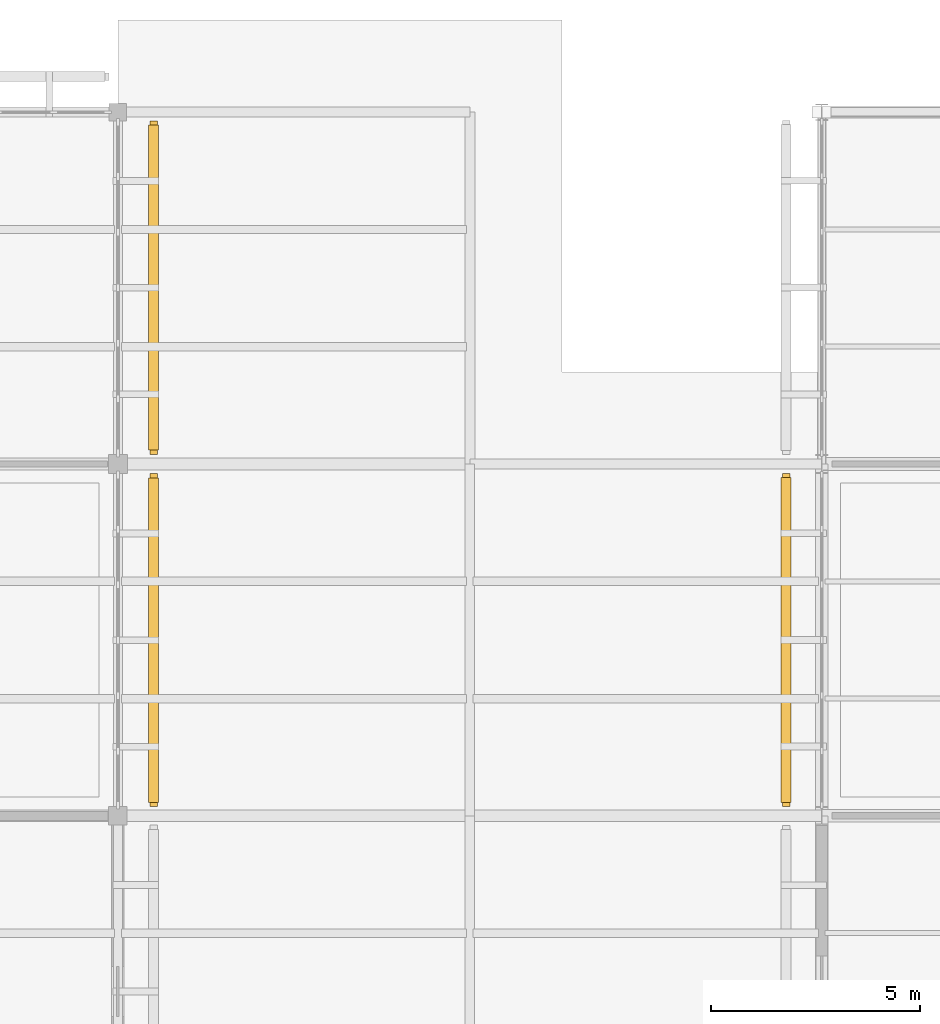
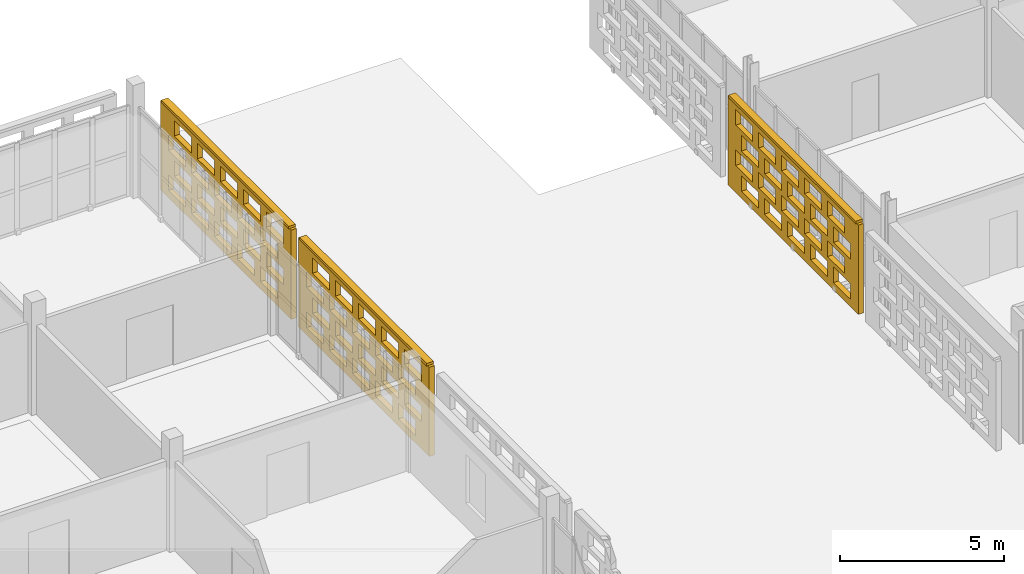
# One storey, part 138 of 166: 3 coverings, 3 shading devices, 60 openings.
"""IFC4 building model written with IfcOpenShell, lengths in metres."""

from ifc_helpers import new_model, si_unit, direction, frame, frame_2d, origin, origin_2d, place, context, subcontext, project, spatial, rectangle, extrude, material, layer, layer_set, type_object, element, save


model = new_model("IFC4")

# Units and contexts
model_context = context("Model", 3, precision=1e-05, world=origin(), true_north=direction((0.0, 1.0)))
body_context = subcontext(model_context, "Body", "Model", "MODEL_VIEW")
ifc_project = project(units=[si_unit("LENGTHUNIT", "METRE"), si_unit("AREAUNIT", "SQUARE_METRE"), si_unit("VOLUMEUNIT", "CUBIC_METRE"), si_unit("PLANEANGLEUNIT", "RADIAN"), si_unit("MASSUNIT", "GRAM", prefix="KILO")], contexts=[model_context])

# Site, building, storey
site_placement = place(None, origin())
site = spatial("IfcSite", under=ifc_project, at=site_placement, CompositionType="ELEMENT")
building_placement = place(site_placement, origin())
building = spatial("IfcBuilding", under=site, at=building_placement, Name="Varnapada Polytechnic", CompositionType="ELEMENT")
storey_placement = place(building_placement, frame((0.0, 0.0, 9.60009765625)))
storey = spatial("IfcBuildingStorey", under=building, at=storey_placement, Name="L02", CompositionType="ELEMENT", Elevation=9.60009765625)

# Covering, openings
ifc_material = material(Name="Earth-toned architectural terracotta screen block", Category="masonry")
ifc_layer_1 = layer(ifc_material, 0.1201171875)
ifc_layer_set_1 = layer_set([ifc_layer_1], Name="Earth-toned architectural terracotta screen block")
covering_type = type_object("IfcCoveringType", Name="Terracotta Screen Cladding CLD-01", PredefinedType="CLADDING", material=ifc_layer_set_1)
covering_1_placement = place(storey_placement, frame((34.449951171875, 117.3701171875, 0.0), z_axis=(0.0, 0.0, 1.0), x_axis=(0.0, -1.0, 0.0)))
covering_1 = element("IfcCovering", 1, at=covering_1_placement, inside=storey, type_object=covering_type, Name="L02 perforated terracotta block screen (31)", PredefinedType="CLADDING", context=body_context, shape_type="SweptSolid", body=[
    extrude(rectangle(XDim=7.9501953125, YDim=0.179931640625, at=frame_2d((3.97509765625, 0.0))), origin(), (0.0, 0.0, 1.0), 3.31982421875),
])
opening_1_placement = place(covering_1_placement, frame((0.47509765625, 0.0, 0.265625)))
element("IfcOpeningElement", 2, at=opening_1_placement, cuts=covering_1, Name="Screen perforation TBS-L02-030.1", PredefinedType="OPENING", context=body_context, shape_type="SweptSolid", body=[
    extrude(rectangle(XDim=1.0400390625, YDim=0.5810546875, at=frame_2d((0.52001953125, 0.29052734375))), frame((0.0, 0.099853515625, 0.0), z_axis=(0.0, -1.0, 0.0), x_axis=(1.0, 0.0, 0.0)), (0.0, 0.0, 1.0), 0.199951171875),
])
opening_2_placement = place(covering_1_placement, frame((1.875, 0.0, 0.265625)))
element("IfcOpeningElement", 3, at=opening_2_placement, cuts=covering_1, Name="Screen perforation TBS-L02-030.2", PredefinedType="OPENING", context=body_context, shape_type="SweptSolid", body=[
    extrude(rectangle(XDim=1.0400390625, YDim=0.5810546875, at=frame_2d((0.52001953125, 0.29052734375))), frame((0.0, 0.099853515625, 0.0), z_axis=(0.0, -1.0, 0.0), x_axis=(1.0, 0.0, 0.0)), (0.0, 0.0, 1.0), 0.199951171875),
])
opening_3_placement = place(covering_1_placement, frame((3.27490234375, 0.0, 0.265625)))
element("IfcOpeningElement", 4, at=opening_3_placement, cuts=covering_1, Name="Screen perforation TBS-L02-030.3", PredefinedType="OPENING", context=body_context, shape_type="SweptSolid", body=[
    extrude(rectangle(XDim=1.0400390625, YDim=0.5810546875, at=frame_2d((0.52001953125, 0.29052734375))), frame((0.0, 0.099853515625, 0.0), z_axis=(0.0, -1.0, 0.0), x_axis=(1.0, 0.0, 0.0)), (0.0, 0.0, 1.0), 0.199951171875),
])
opening_4_placement = place(covering_1_placement, frame((4.675048828125, 0.0, 0.265625)))
element("IfcOpeningElement", 5, at=opening_4_placement, cuts=covering_1, Name="Screen perforation TBS-L02-030.4", PredefinedType="OPENING", context=body_context, shape_type="SweptSolid", body=[
    extrude(rectangle(XDim=1.0400390625, YDim=0.5810546875, at=frame_2d((0.52001953125, 0.29052734375))), frame((0.0, 0.099853515625, 0.0), z_axis=(0.0, -1.0, 0.0), x_axis=(1.0, 0.0, 0.0)), (0.0, 0.0, 1.0), 0.199951171875),
])
opening_5_placement = place(covering_1_placement, frame((6.074951171875, 0.0, 0.265625)))
element("IfcOpeningElement", 6, at=opening_5_placement, cuts=covering_1, Name="Screen perforation TBS-L02-030.5", PredefinedType="OPENING", context=body_context, shape_type="SweptSolid", body=[
    extrude(rectangle(XDim=1.0400390625, YDim=0.5810546875, at=frame_2d((0.52001953125, 0.29052734375))), frame((0.0, 0.099853515625, 0.0), z_axis=(0.0, -1.0, 0.0), x_axis=(1.0, 0.0, 0.0)), (0.0, 0.0, 1.0), 0.199951171875),
])
opening_6_placement = place(covering_1_placement, frame((0.8349609375, 0.0, 1.0126953125)))
element("IfcOpeningElement", 7, at=opening_6_placement, cuts=covering_1, Name="Screen perforation TBS-L02-030.6", PredefinedType="OPENING", context=body_context, shape_type="SweptSolid", body=[
    extrude(rectangle(XDim=1.0400390625, YDim=0.5810546875, at=frame_2d((0.52001953125, 0.29052734375))), frame((0.0, 0.099853515625, 0.0), z_axis=(0.0, -1.0, 0.0), x_axis=(1.0, 0.0, 0.0)), (0.0, 0.0, 1.0), 0.199951171875),
])
opening_7_placement = place(covering_1_placement, frame((2.235107421875, 0.0, 1.0126953125)))
element("IfcOpeningElement", 8, at=opening_7_placement, cuts=covering_1, Name="Screen perforation TBS-L02-030.7", PredefinedType="OPENING", context=body_context, shape_type="SweptSolid", body=[
    extrude(rectangle(XDim=1.0400390625, YDim=0.5810546875, at=frame_2d((0.52001953125, 0.29052734375))), frame((0.0, 0.099853515625, 0.0), z_axis=(0.0, -1.0, 0.0), x_axis=(1.0, 0.0, 0.0)), (0.0, 0.0, 1.0), 0.199951171875),
])
opening_8_placement = place(covering_1_placement, frame((3.635009765625, 0.0, 1.0126953125)))
element("IfcOpeningElement", 9, at=opening_8_placement, cuts=covering_1, Name="Screen perforation TBS-L02-030.8", PredefinedType="OPENING", context=body_context, shape_type="SweptSolid", body=[
    extrude(rectangle(XDim=1.0400390625, YDim=0.5810546875, at=frame_2d((0.52001953125, 0.29052734375))), frame((0.0, 0.099853515625, 0.0), z_axis=(0.0, -1.0, 0.0), x_axis=(1.0, 0.0, 0.0)), (0.0, 0.0, 1.0), 0.199951171875),
])
opening_9_placement = place(covering_1_placement, frame((5.034912109375, 0.0, 1.0126953125)))
element("IfcOpeningElement", 10, at=opening_9_placement, cuts=covering_1, Name="Screen perforation TBS-L02-030.9", PredefinedType="OPENING", context=body_context, shape_type="SweptSolid", body=[
    extrude(rectangle(XDim=1.0400390625, YDim=0.5810546875, at=frame_2d((0.52001953125, 0.29052734375))), frame((0.0, 0.099853515625, 0.0), z_axis=(0.0, -1.0, 0.0), x_axis=(1.0, 0.0, 0.0)), (0.0, 0.0, 1.0), 0.199951171875),
])
opening_10_placement = place(covering_1_placement, frame((6.43505859375, 0.0, 1.0126953125)))
element("IfcOpeningElement", 11, at=opening_10_placement, cuts=covering_1, Name="Screen perforation TBS-L02-030.10", PredefinedType="OPENING", context=body_context, shape_type="SweptSolid", body=[
    extrude(rectangle(XDim=1.0400390625, YDim=0.5810546875, at=frame_2d((0.52001953125, 0.29052734375))), frame((0.0, 0.099853515625, 0.0), z_axis=(0.0, -1.0, 0.0), x_axis=(1.0, 0.0, 0.0)), (0.0, 0.0, 1.0), 0.199951171875),
])
opening_11_placement = place(covering_1_placement, frame((0.47509765625, 0.0, 1.759521484375)))
element("IfcOpeningElement", 12, at=opening_11_placement, cuts=covering_1, Name="Screen perforation TBS-L02-030.11", PredefinedType="OPENING", context=body_context, shape_type="SweptSolid", body=[
    extrude(rectangle(XDim=1.0400390625, YDim=0.5810546875, at=frame_2d((0.52001953125, 0.29052734375))), frame((0.0, 0.099853515625, 0.0), z_axis=(0.0, -1.0, 0.0), x_axis=(1.0, 0.0, 0.0)), (0.0, 0.0, 1.0), 0.199951171875),
])
opening_12_placement = place(covering_1_placement, frame((1.875, 0.0, 1.759521484375)))
element("IfcOpeningElement", 13, at=opening_12_placement, cuts=covering_1, Name="Screen perforation TBS-L02-030.12", PredefinedType="OPENING", context=body_context, shape_type="SweptSolid", body=[
    extrude(rectangle(XDim=1.0400390625, YDim=0.5810546875, at=frame_2d((0.52001953125, 0.29052734375))), frame((0.0, 0.099853515625, 0.0), z_axis=(0.0, -1.0, 0.0), x_axis=(1.0, 0.0, 0.0)), (0.0, 0.0, 1.0), 0.199951171875),
])
opening_13_placement = place(covering_1_placement, frame((3.27490234375, 0.0, 1.759521484375)))
element("IfcOpeningElement", 14, at=opening_13_placement, cuts=covering_1, Name="Screen perforation TBS-L02-030.13", PredefinedType="OPENING", context=body_context, shape_type="SweptSolid", body=[
    extrude(rectangle(XDim=1.0400390625, YDim=0.5810546875, at=frame_2d((0.52001953125, 0.29052734375))), frame((0.0, 0.099853515625, 0.0), z_axis=(0.0, -1.0, 0.0), x_axis=(1.0, 0.0, 0.0)), (0.0, 0.0, 1.0), 0.199951171875),
])
opening_14_placement = place(covering_1_placement, frame((4.675048828125, 0.0, 1.759521484375)))
element("IfcOpeningElement", 15, at=opening_14_placement, cuts=covering_1, Name="Screen perforation TBS-L02-030.14", PredefinedType="OPENING", context=body_context, shape_type="SweptSolid", body=[
    extrude(rectangle(XDim=1.0400390625, YDim=0.5810546875, at=frame_2d((0.52001953125, 0.29052734375))), frame((0.0, 0.099853515625, 0.0), z_axis=(0.0, -1.0, 0.0), x_axis=(1.0, 0.0, 0.0)), (0.0, 0.0, 1.0), 0.199951171875),
])
opening_15_placement = place(covering_1_placement, frame((6.074951171875, 0.0, 1.759521484375)))
element("IfcOpeningElement", 16, at=opening_15_placement, cuts=covering_1, Name="Screen perforation TBS-L02-030.15", PredefinedType="OPENING", context=body_context, shape_type="SweptSolid", body=[
    extrude(rectangle(XDim=1.0400390625, YDim=0.5810546875, at=frame_2d((0.52001953125, 0.29052734375))), frame((0.0, 0.099853515625, 0.0), z_axis=(0.0, -1.0, 0.0), x_axis=(1.0, 0.0, 0.0)), (0.0, 0.0, 1.0), 0.199951171875),
])
opening_16_placement = place(covering_1_placement, frame((0.8349609375, 0.0, 2.506591796875)))
element("IfcOpeningElement", 17, at=opening_16_placement, cuts=covering_1, Name="Screen perforation TBS-L02-030.16", PredefinedType="OPENING", context=body_context, shape_type="SweptSolid", body=[
    extrude(rectangle(XDim=1.0400390625, YDim=0.5810546875, at=frame_2d((0.52001953125, 0.29052734375))), frame((0.0, 0.099853515625, 0.0), z_axis=(0.0, -1.0, 0.0), x_axis=(1.0, 0.0, 0.0)), (0.0, 0.0, 1.0), 0.199951171875),
])
opening_17_placement = place(covering_1_placement, frame((2.235107421875, 0.0, 2.506591796875)))
element("IfcOpeningElement", 18, at=opening_17_placement, cuts=covering_1, Name="Screen perforation TBS-L02-030.17", PredefinedType="OPENING", context=body_context, shape_type="SweptSolid", body=[
    extrude(rectangle(XDim=1.0400390625, YDim=0.5810546875, at=frame_2d((0.52001953125, 0.29052734375))), frame((0.0, 0.099853515625, 0.0), z_axis=(0.0, -1.0, 0.0), x_axis=(1.0, 0.0, 0.0)), (0.0, 0.0, 1.0), 0.199951171875),
])
opening_18_placement = place(covering_1_placement, frame((3.635009765625, 0.0, 2.506591796875)))
element("IfcOpeningElement", 19, at=opening_18_placement, cuts=covering_1, Name="Screen perforation TBS-L02-030.18", PredefinedType="OPENING", context=body_context, shape_type="SweptSolid", body=[
    extrude(rectangle(XDim=1.0400390625, YDim=0.5810546875, at=frame_2d((0.52001953125, 0.29052734375))), frame((0.0, 0.099853515625, 0.0), z_axis=(0.0, -1.0, 0.0), x_axis=(1.0, 0.0, 0.0)), (0.0, 0.0, 1.0), 0.199951171875),
])
opening_19_placement = place(covering_1_placement, frame((5.034912109375, 0.0, 2.506591796875)))
element("IfcOpeningElement", 20, at=opening_19_placement, cuts=covering_1, Name="Screen perforation TBS-L02-030.19", PredefinedType="OPENING", context=body_context, shape_type="SweptSolid", body=[
    extrude(rectangle(XDim=1.0400390625, YDim=0.5810546875, at=frame_2d((0.52001953125, 0.29052734375))), frame((0.0, 0.099853515625, 0.0), z_axis=(0.0, -1.0, 0.0), x_axis=(1.0, 0.0, 0.0)), (0.0, 0.0, 1.0), 0.199951171875),
])
opening_20_placement = place(covering_1_placement, frame((6.43505859375, 0.0, 2.506591796875)))
element("IfcOpeningElement", 21, at=opening_20_placement, cuts=covering_1, Name="Screen perforation TBS-L02-030.20", PredefinedType="OPENING", context=body_context, shape_type="SweptSolid", body=[
    extrude(rectangle(XDim=1.0400390625, YDim=0.5810546875, at=frame_2d((0.52001953125, 0.29052734375))), frame((0.0, 0.099853515625, 0.0), z_axis=(0.0, -1.0, 0.0), x_axis=(1.0, 0.0, 0.0)), (0.0, 0.0, 1.0), 0.199951171875),
])

covering_2_placement = place(storey_placement, frame((34.449951171875, 125.7900390625, 0.0), z_axis=(0.0, 0.0, 1.0), x_axis=(0.0, -1.0, 0.0)))
covering_2 = element("IfcCovering", 22, at=covering_2_placement, inside=storey, type_object=covering_type, Name="L02 perforated terracotta block screen (33)", PredefinedType="CLADDING", context=body_context, shape_type="SweptSolid", body=[
    extrude(rectangle(XDim=7.9599609375, YDim=0.179931640625, at=frame_2d((3.97998046875, 0.0))), origin(), (0.0, 0.0, 1.0), 3.31982421875),
])
opening_21_placement = place(covering_2_placement, frame((0.47998046875, 0.0, 0.265625)))
element("IfcOpeningElement", 23, at=opening_21_placement, cuts=covering_2, Name="Screen perforation TBS-L02-032.1", PredefinedType="OPENING", context=body_context, shape_type="SweptSolid", body=[
    extrude(rectangle(XDim=1.0400390625, YDim=0.5810546875, at=frame_2d((0.52001953125, 0.29052734375))), frame((0.0, 0.099853515625, 0.0), z_axis=(0.0, -1.0, 0.0), x_axis=(1.0, 0.0, 0.0)), (0.0, 0.0, 1.0), 0.199951171875),
])
opening_22_placement = place(covering_2_placement, frame((1.8798828125, 0.0, 0.265625)))
element("IfcOpeningElement", 24, at=opening_22_placement, cuts=covering_2, Name="Screen perforation TBS-L02-032.2", PredefinedType="OPENING", context=body_context, shape_type="SweptSolid", body=[
    extrude(rectangle(XDim=1.0400390625, YDim=0.5810546875, at=frame_2d((0.52001953125, 0.29052734375))), frame((0.0, 0.099853515625, 0.0), z_axis=(0.0, -1.0, 0.0), x_axis=(1.0, 0.0, 0.0)), (0.0, 0.0, 1.0), 0.199951171875),
])
opening_23_placement = place(covering_2_placement, frame((3.280029296875, 0.0, 0.265625)))
element("IfcOpeningElement", 25, at=opening_23_placement, cuts=covering_2, Name="Screen perforation TBS-L02-032.3", PredefinedType="OPENING", context=body_context, shape_type="SweptSolid", body=[
    extrude(rectangle(XDim=1.0400390625, YDim=0.5810546875, at=frame_2d((0.52001953125, 0.29052734375))), frame((0.0, 0.099853515625, 0.0), z_axis=(0.0, -1.0, 0.0), x_axis=(1.0, 0.0, 0.0)), (0.0, 0.0, 1.0), 0.199951171875),
])
opening_24_placement = place(covering_2_placement, frame((4.679931640625, 0.0, 0.265625)))
element("IfcOpeningElement", 26, at=opening_24_placement, cuts=covering_2, Name="Screen perforation TBS-L02-032.4", PredefinedType="OPENING", context=body_context, shape_type="SweptSolid", body=[
    extrude(rectangle(XDim=1.0400390625, YDim=0.5810546875, at=frame_2d((0.52001953125, 0.29052734375))), frame((0.0, 0.099853515625, 0.0), z_axis=(0.0, -1.0, 0.0), x_axis=(1.0, 0.0, 0.0)), (0.0, 0.0, 1.0), 0.199951171875),
])
opening_25_placement = place(covering_2_placement, frame((6.080078125, 0.0, 0.265625)))
element("IfcOpeningElement", 27, at=opening_25_placement, cuts=covering_2, Name="Screen perforation TBS-L02-032.5", PredefinedType="OPENING", context=body_context, shape_type="SweptSolid", body=[
    extrude(rectangle(XDim=1.0400390625, YDim=0.5810546875, at=frame_2d((0.52001953125, 0.29052734375))), frame((0.0, 0.099853515625, 0.0), z_axis=(0.0, -1.0, 0.0), x_axis=(1.0, 0.0, 0.0)), (0.0, 0.0, 1.0), 0.199951171875),
])
opening_26_placement = place(covering_2_placement, frame((0.840087890625, 0.0, 1.0126953125)))
element("IfcOpeningElement", 28, at=opening_26_placement, cuts=covering_2, Name="Screen perforation TBS-L02-032.6", PredefinedType="OPENING", context=body_context, shape_type="SweptSolid", body=[
    extrude(rectangle(XDim=1.0400390625, YDim=0.5810546875, at=frame_2d((0.52001953125, 0.29052734375))), frame((0.0, 0.099853515625, 0.0), z_axis=(0.0, -1.0, 0.0), x_axis=(1.0, 0.0, 0.0)), (0.0, 0.0, 1.0), 0.199951171875),
])
opening_27_placement = place(covering_2_placement, frame((2.239990234375, 0.0, 1.0126953125)))
element("IfcOpeningElement", 29, at=opening_27_placement, cuts=covering_2, Name="Screen perforation TBS-L02-032.7", PredefinedType="OPENING", context=body_context, shape_type="SweptSolid", body=[
    extrude(rectangle(XDim=1.0400390625, YDim=0.5810546875, at=frame_2d((0.52001953125, 0.29052734375))), frame((0.0, 0.099853515625, 0.0), z_axis=(0.0, -1.0, 0.0), x_axis=(1.0, 0.0, 0.0)), (0.0, 0.0, 1.0), 0.199951171875),
])
opening_28_placement = place(covering_2_placement, frame((3.639892578125, 0.0, 1.0126953125)))
element("IfcOpeningElement", 30, at=opening_28_placement, cuts=covering_2, Name="Screen perforation TBS-L02-032.8", PredefinedType="OPENING", context=body_context, shape_type="SweptSolid", body=[
    extrude(rectangle(XDim=1.0400390625, YDim=0.5810546875, at=frame_2d((0.52001953125, 0.29052734375))), frame((0.0, 0.099853515625, 0.0), z_axis=(0.0, -1.0, 0.0), x_axis=(1.0, 0.0, 0.0)), (0.0, 0.0, 1.0), 0.199951171875),
])
opening_29_placement = place(covering_2_placement, frame((5.0400390625, 0.0, 1.0126953125)))
element("IfcOpeningElement", 31, at=opening_29_placement, cuts=covering_2, Name="Screen perforation TBS-L02-032.9", PredefinedType="OPENING", context=body_context, shape_type="SweptSolid", body=[
    extrude(rectangle(XDim=1.0400390625, YDim=0.5810546875, at=frame_2d((0.52001953125, 0.29052734375))), frame((0.0, 0.099853515625, 0.0), z_axis=(0.0, -1.0, 0.0), x_axis=(1.0, 0.0, 0.0)), (0.0, 0.0, 1.0), 0.199951171875),
])
opening_30_placement = place(covering_2_placement, frame((6.43994140625, 0.0, 1.0126953125)))
element("IfcOpeningElement", 32, at=opening_30_placement, cuts=covering_2, Name="Screen perforation TBS-L02-032.10", PredefinedType="OPENING", context=body_context, shape_type="SweptSolid", body=[
    extrude(rectangle(XDim=1.0400390625, YDim=0.5810546875, at=frame_2d((0.52001953125, 0.29052734375))), frame((0.0, 0.099853515625, 0.0), z_axis=(0.0, -1.0, 0.0), x_axis=(1.0, 0.0, 0.0)), (0.0, 0.0, 1.0), 0.199951171875),
])
opening_31_placement = place(covering_2_placement, frame((0.47998046875, 0.0, 1.759521484375)))
element("IfcOpeningElement", 33, at=opening_31_placement, cuts=covering_2, Name="Screen perforation TBS-L02-032.11", PredefinedType="OPENING", context=body_context, shape_type="SweptSolid", body=[
    extrude(rectangle(XDim=1.0400390625, YDim=0.5810546875, at=frame_2d((0.52001953125, 0.29052734375))), frame((0.0, 0.099853515625, 0.0), z_axis=(0.0, -1.0, 0.0), x_axis=(1.0, 0.0, 0.0)), (0.0, 0.0, 1.0), 0.199951171875),
])
opening_32_placement = place(covering_2_placement, frame((1.8798828125, 0.0, 1.759521484375)))
element("IfcOpeningElement", 34, at=opening_32_placement, cuts=covering_2, Name="Screen perforation TBS-L02-032.12", PredefinedType="OPENING", context=body_context, shape_type="SweptSolid", body=[
    extrude(rectangle(XDim=1.0400390625, YDim=0.5810546875, at=frame_2d((0.52001953125, 0.29052734375))), frame((0.0, 0.099853515625, 0.0), z_axis=(0.0, -1.0, 0.0), x_axis=(1.0, 0.0, 0.0)), (0.0, 0.0, 1.0), 0.199951171875),
])
opening_33_placement = place(covering_2_placement, frame((3.280029296875, 0.0, 1.759521484375)))
element("IfcOpeningElement", 35, at=opening_33_placement, cuts=covering_2, Name="Screen perforation TBS-L02-032.13", PredefinedType="OPENING", context=body_context, shape_type="SweptSolid", body=[
    extrude(rectangle(XDim=1.0400390625, YDim=0.5810546875, at=frame_2d((0.52001953125, 0.29052734375))), frame((0.0, 0.099853515625, 0.0), z_axis=(0.0, -1.0, 0.0), x_axis=(1.0, 0.0, 0.0)), (0.0, 0.0, 1.0), 0.199951171875),
])
opening_34_placement = place(covering_2_placement, frame((4.679931640625, 0.0, 1.759521484375)))
element("IfcOpeningElement", 36, at=opening_34_placement, cuts=covering_2, Name="Screen perforation TBS-L02-032.14", PredefinedType="OPENING", context=body_context, shape_type="SweptSolid", body=[
    extrude(rectangle(XDim=1.0400390625, YDim=0.5810546875, at=frame_2d((0.52001953125, 0.29052734375))), frame((0.0, 0.099853515625, 0.0), z_axis=(0.0, -1.0, 0.0), x_axis=(1.0, 0.0, 0.0)), (0.0, 0.0, 1.0), 0.199951171875),
])
opening_35_placement = place(covering_2_placement, frame((6.080078125, 0.0, 1.759521484375)))
element("IfcOpeningElement", 37, at=opening_35_placement, cuts=covering_2, Name="Screen perforation TBS-L02-032.15", PredefinedType="OPENING", context=body_context, shape_type="SweptSolid", body=[
    extrude(rectangle(XDim=1.0400390625, YDim=0.5810546875, at=frame_2d((0.52001953125, 0.29052734375))), frame((0.0, 0.099853515625, 0.0), z_axis=(0.0, -1.0, 0.0), x_axis=(1.0, 0.0, 0.0)), (0.0, 0.0, 1.0), 0.199951171875),
])
opening_36_placement = place(covering_2_placement, frame((0.840087890625, 0.0, 2.506591796875)))
element("IfcOpeningElement", 38, at=opening_36_placement, cuts=covering_2, Name="Screen perforation TBS-L02-032.16", PredefinedType="OPENING", context=body_context, shape_type="SweptSolid", body=[
    extrude(rectangle(XDim=1.0400390625, YDim=0.5810546875, at=frame_2d((0.52001953125, 0.29052734375))), frame((0.0, 0.099853515625, 0.0), z_axis=(0.0, -1.0, 0.0), x_axis=(1.0, 0.0, 0.0)), (0.0, 0.0, 1.0), 0.199951171875),
])
opening_37_placement = place(covering_2_placement, frame((2.239990234375, 0.0, 2.506591796875)))
element("IfcOpeningElement", 39, at=opening_37_placement, cuts=covering_2, Name="Screen perforation TBS-L02-032.17", PredefinedType="OPENING", context=body_context, shape_type="SweptSolid", body=[
    extrude(rectangle(XDim=1.0400390625, YDim=0.5810546875, at=frame_2d((0.52001953125, 0.29052734375))), frame((0.0, 0.099853515625, 0.0), z_axis=(0.0, -1.0, 0.0), x_axis=(1.0, 0.0, 0.0)), (0.0, 0.0, 1.0), 0.199951171875),
])
opening_38_placement = place(covering_2_placement, frame((3.639892578125, 0.0, 2.506591796875)))
element("IfcOpeningElement", 40, at=opening_38_placement, cuts=covering_2, Name="Screen perforation TBS-L02-032.18", PredefinedType="OPENING", context=body_context, shape_type="SweptSolid", body=[
    extrude(rectangle(XDim=1.0400390625, YDim=0.5810546875, at=frame_2d((0.52001953125, 0.29052734375))), frame((0.0, 0.099853515625, 0.0), z_axis=(0.0, -1.0, 0.0), x_axis=(1.0, 0.0, 0.0)), (0.0, 0.0, 1.0), 0.199951171875),
])
opening_39_placement = place(covering_2_placement, frame((5.0400390625, 0.0, 2.506591796875)))
element("IfcOpeningElement", 41, at=opening_39_placement, cuts=covering_2, Name="Screen perforation TBS-L02-032.19", PredefinedType="OPENING", context=body_context, shape_type="SweptSolid", body=[
    extrude(rectangle(XDim=1.0400390625, YDim=0.5810546875, at=frame_2d((0.52001953125, 0.29052734375))), frame((0.0, 0.099853515625, 0.0), z_axis=(0.0, -1.0, 0.0), x_axis=(1.0, 0.0, 0.0)), (0.0, 0.0, 1.0), 0.199951171875),
])
opening_40_placement = place(covering_2_placement, frame((6.43994140625, 0.0, 2.506591796875)))
element("IfcOpeningElement", 42, at=opening_40_placement, cuts=covering_2, Name="Screen perforation TBS-L02-032.20", PredefinedType="OPENING", context=body_context, shape_type="SweptSolid", body=[
    extrude(rectangle(XDim=1.0400390625, YDim=0.5810546875, at=frame_2d((0.52001953125, 0.29052734375))), frame((0.0, 0.099853515625, 0.0), z_axis=(0.0, -1.0, 0.0), x_axis=(1.0, 0.0, 0.0)), (0.0, 0.0, 1.0), 0.199951171875),
])

covering_3_placement = place(storey_placement, frame((49.550048828125, 109.425048828125, 0.0), z_axis=(0.0, 0.0, 1.0), x_axis=(0.0, 1.0, 0.0)))
covering_3 = element("IfcCovering", 43, at=covering_3_placement, inside=storey, type_object=covering_type, Name="L02 perforated terracotta block screen (49)", PredefinedType="CLADDING", context=body_context, shape_type="SweptSolid", body=[
    extrude(rectangle(XDim=7.949951171875, YDim=0.179931640625, at=frame_2d((3.97509765625, 0.0))), origin(), (0.0, 0.0, 1.0), 3.31982421875),
])
opening_41_placement = place(covering_3_placement, frame((0.47509765625, 0.0, 0.265625)))
element("IfcOpeningElement", 44, at=opening_41_placement, cuts=covering_3, Name="Screen perforation TBS-L02-048.1", PredefinedType="OPENING", context=body_context, shape_type="SweptSolid", body=[
    extrude(rectangle(XDim=1.0400390625, YDim=0.5810546875, at=frame_2d((0.52001953125, 0.29052734375))), frame((0.0, 0.099853515625, 0.0), z_axis=(0.0, -1.0, 0.0), x_axis=(1.0, 0.0, 0.0)), (0.0, 0.0, 1.0), 0.199951171875),
])
opening_42_placement = place(covering_3_placement, frame((1.875, 0.0, 0.265625)))
element("IfcOpeningElement", 45, at=opening_42_placement, cuts=covering_3, Name="Screen perforation TBS-L02-048.2", PredefinedType="OPENING", context=body_context, shape_type="SweptSolid", body=[
    extrude(rectangle(XDim=1.0400390625, YDim=0.5810546875, at=frame_2d((0.52001953125, 0.29052734375))), frame((0.0, 0.099853515625, 0.0), z_axis=(0.0, -1.0, 0.0), x_axis=(1.0, 0.0, 0.0)), (0.0, 0.0, 1.0), 0.199951171875),
])
opening_43_placement = place(covering_3_placement, frame((3.27490234375, 0.0, 0.265625)))
element("IfcOpeningElement", 46, at=opening_43_placement, cuts=covering_3, Name="Screen perforation TBS-L02-048.3", PredefinedType="OPENING", context=body_context, shape_type="SweptSolid", body=[
    extrude(rectangle(XDim=1.0400390625, YDim=0.5810546875, at=frame_2d((0.52001953125, 0.29052734375))), frame((0.0, 0.099853515625, 0.0), z_axis=(0.0, -1.0, 0.0), x_axis=(1.0, 0.0, 0.0)), (0.0, 0.0, 1.0), 0.199951171875),
])
opening_44_placement = place(covering_3_placement, frame((4.675048828125, 0.0, 0.265625)))
element("IfcOpeningElement", 47, at=opening_44_placement, cuts=covering_3, Name="Screen perforation TBS-L02-048.4", PredefinedType="OPENING", context=body_context, shape_type="SweptSolid", body=[
    extrude(rectangle(XDim=1.0400390625, YDim=0.5810546875, at=frame_2d((0.52001953125, 0.29052734375))), frame((0.0, 0.099853515625, 0.0), z_axis=(0.0, -1.0, 0.0), x_axis=(1.0, 0.0, 0.0)), (0.0, 0.0, 1.0), 0.199951171875),
])
opening_45_placement = place(covering_3_placement, frame((6.074951171875, 0.0, 0.265625)))
element("IfcOpeningElement", 48, at=opening_45_placement, cuts=covering_3, Name="Screen perforation TBS-L02-048.5", PredefinedType="OPENING", context=body_context, shape_type="SweptSolid", body=[
    extrude(rectangle(XDim=1.0400390625, YDim=0.5810546875, at=frame_2d((0.52001953125, 0.29052734375))), frame((0.0, 0.099853515625, 0.0), z_axis=(0.0, -1.0, 0.0), x_axis=(1.0, 0.0, 0.0)), (0.0, 0.0, 1.0), 0.199951171875),
])
opening_46_placement = place(covering_3_placement, frame((0.8349609375, 0.0, 1.0126953125)))
element("IfcOpeningElement", 49, at=opening_46_placement, cuts=covering_3, Name="Screen perforation TBS-L02-048.6", PredefinedType="OPENING", context=body_context, shape_type="SweptSolid", body=[
    extrude(rectangle(XDim=1.0400390625, YDim=0.5810546875, at=frame_2d((0.52001953125, 0.29052734375))), frame((0.0, 0.099853515625, 0.0), z_axis=(0.0, -1.0, 0.0), x_axis=(1.0, 0.0, 0.0)), (0.0, 0.0, 1.0), 0.199951171875),
])
opening_47_placement = place(covering_3_placement, frame((2.235107421875, 0.0, 1.0126953125)))
element("IfcOpeningElement", 50, at=opening_47_placement, cuts=covering_3, Name="Screen perforation TBS-L02-048.7", PredefinedType="OPENING", context=body_context, shape_type="SweptSolid", body=[
    extrude(rectangle(XDim=1.0400390625, YDim=0.5810546875, at=frame_2d((0.52001953125, 0.29052734375))), frame((0.0, 0.099853515625, 0.0), z_axis=(0.0, -1.0, 0.0), x_axis=(1.0, 0.0, 0.0)), (0.0, 0.0, 1.0), 0.199951171875),
])
opening_48_placement = place(covering_3_placement, frame((3.635009765625, 0.0, 1.0126953125)))
element("IfcOpeningElement", 51, at=opening_48_placement, cuts=covering_3, Name="Screen perforation TBS-L02-048.8", PredefinedType="OPENING", context=body_context, shape_type="SweptSolid", body=[
    extrude(rectangle(XDim=1.0400390625, YDim=0.5810546875, at=frame_2d((0.52001953125, 0.29052734375))), frame((0.0, 0.099853515625, 0.0), z_axis=(0.0, -1.0, 0.0), x_axis=(1.0, 0.0, 0.0)), (0.0, 0.0, 1.0), 0.199951171875),
])
opening_49_placement = place(covering_3_placement, frame((5.034912109375, 0.0, 1.0126953125)))
element("IfcOpeningElement", 52, at=opening_49_placement, cuts=covering_3, Name="Screen perforation TBS-L02-048.9", PredefinedType="OPENING", context=body_context, shape_type="SweptSolid", body=[
    extrude(rectangle(XDim=1.0400390625, YDim=0.5810546875, at=frame_2d((0.52001953125, 0.29052734375))), frame((0.0, 0.099853515625, 0.0), z_axis=(0.0, -1.0, 0.0), x_axis=(1.0, 0.0, 0.0)), (0.0, 0.0, 1.0), 0.199951171875),
])
opening_50_placement = place(covering_3_placement, frame((6.43505859375, 0.0, 1.0126953125)))
element("IfcOpeningElement", 53, at=opening_50_placement, cuts=covering_3, Name="Screen perforation TBS-L02-048.10", PredefinedType="OPENING", context=body_context, shape_type="SweptSolid", body=[
    extrude(rectangle(XDim=1.0400390625, YDim=0.5810546875, at=frame_2d((0.52001953125, 0.29052734375))), frame((0.0, 0.099853515625, 0.0), z_axis=(0.0, -1.0, 0.0), x_axis=(1.0, 0.0, 0.0)), (0.0, 0.0, 1.0), 0.199951171875),
])
opening_51_placement = place(covering_3_placement, frame((0.47509765625, 0.0, 1.759521484375)))
element("IfcOpeningElement", 54, at=opening_51_placement, cuts=covering_3, Name="Screen perforation TBS-L02-048.11", PredefinedType="OPENING", context=body_context, shape_type="SweptSolid", body=[
    extrude(rectangle(XDim=1.0400390625, YDim=0.5810546875, at=frame_2d((0.52001953125, 0.29052734375))), frame((0.0, 0.099853515625, 0.0), z_axis=(0.0, -1.0, 0.0), x_axis=(1.0, 0.0, 0.0)), (0.0, 0.0, 1.0), 0.199951171875),
])
opening_52_placement = place(covering_3_placement, frame((1.875, 0.0, 1.759521484375)))
element("IfcOpeningElement", 55, at=opening_52_placement, cuts=covering_3, Name="Screen perforation TBS-L02-048.12", PredefinedType="OPENING", context=body_context, shape_type="SweptSolid", body=[
    extrude(rectangle(XDim=1.0400390625, YDim=0.5810546875, at=frame_2d((0.52001953125, 0.29052734375))), frame((0.0, 0.099853515625, 0.0), z_axis=(0.0, -1.0, 0.0), x_axis=(1.0, 0.0, 0.0)), (0.0, 0.0, 1.0), 0.199951171875),
])
opening_53_placement = place(covering_3_placement, frame((3.27490234375, 0.0, 1.759521484375)))
element("IfcOpeningElement", 56, at=opening_53_placement, cuts=covering_3, Name="Screen perforation TBS-L02-048.13", PredefinedType="OPENING", context=body_context, shape_type="SweptSolid", body=[
    extrude(rectangle(XDim=1.0400390625, YDim=0.5810546875, at=frame_2d((0.52001953125, 0.29052734375))), frame((0.0, 0.099853515625, 0.0), z_axis=(0.0, -1.0, 0.0), x_axis=(1.0, 0.0, 0.0)), (0.0, 0.0, 1.0), 0.199951171875),
])
opening_54_placement = place(covering_3_placement, frame((4.675048828125, 0.0, 1.759521484375)))
element("IfcOpeningElement", 57, at=opening_54_placement, cuts=covering_3, Name="Screen perforation TBS-L02-048.14", PredefinedType="OPENING", context=body_context, shape_type="SweptSolid", body=[
    extrude(rectangle(XDim=1.0400390625, YDim=0.5810546875, at=frame_2d((0.52001953125, 0.29052734375))), frame((0.0, 0.099853515625, 0.0), z_axis=(0.0, -1.0, 0.0), x_axis=(1.0, 0.0, 0.0)), (0.0, 0.0, 1.0), 0.199951171875),
])
opening_55_placement = place(covering_3_placement, frame((6.074951171875, 0.0, 1.759521484375)))
element("IfcOpeningElement", 58, at=opening_55_placement, cuts=covering_3, Name="Screen perforation TBS-L02-048.15", PredefinedType="OPENING", context=body_context, shape_type="SweptSolid", body=[
    extrude(rectangle(XDim=1.0400390625, YDim=0.5810546875, at=frame_2d((0.52001953125, 0.29052734375))), frame((0.0, 0.099853515625, 0.0), z_axis=(0.0, -1.0, 0.0), x_axis=(1.0, 0.0, 0.0)), (0.0, 0.0, 1.0), 0.199951171875),
])
opening_56_placement = place(covering_3_placement, frame((0.8349609375, 0.0, 2.506591796875)))
element("IfcOpeningElement", 59, at=opening_56_placement, cuts=covering_3, Name="Screen perforation TBS-L02-048.16", PredefinedType="OPENING", context=body_context, shape_type="SweptSolid", body=[
    extrude(rectangle(XDim=1.0400390625, YDim=0.5810546875, at=frame_2d((0.52001953125, 0.29052734375))), frame((0.0, 0.099853515625, 0.0), z_axis=(0.0, -1.0, 0.0), x_axis=(1.0, 0.0, 0.0)), (0.0, 0.0, 1.0), 0.199951171875),
])
opening_57_placement = place(covering_3_placement, frame((2.235107421875, 0.0, 2.506591796875)))
element("IfcOpeningElement", 60, at=opening_57_placement, cuts=covering_3, Name="Screen perforation TBS-L02-048.17", PredefinedType="OPENING", context=body_context, shape_type="SweptSolid", body=[
    extrude(rectangle(XDim=1.0400390625, YDim=0.5810546875, at=frame_2d((0.52001953125, 0.29052734375))), frame((0.0, 0.099853515625, 0.0), z_axis=(0.0, -1.0, 0.0), x_axis=(1.0, 0.0, 0.0)), (0.0, 0.0, 1.0), 0.199951171875),
])
opening_58_placement = place(covering_3_placement, frame((3.635009765625, 0.0, 2.506591796875)))
element("IfcOpeningElement", 61, at=opening_58_placement, cuts=covering_3, Name="Screen perforation TBS-L02-048.18", PredefinedType="OPENING", context=body_context, shape_type="SweptSolid", body=[
    extrude(rectangle(XDim=1.0400390625, YDim=0.5810546875, at=frame_2d((0.52001953125, 0.29052734375))), frame((0.0, 0.099853515625, 0.0), z_axis=(0.0, -1.0, 0.0), x_axis=(1.0, 0.0, 0.0)), (0.0, 0.0, 1.0), 0.199951171875),
])
opening_59_placement = place(covering_3_placement, frame((5.034912109375, 0.0, 2.506591796875)))
element("IfcOpeningElement", 62, at=opening_59_placement, cuts=covering_3, Name="Screen perforation TBS-L02-048.19", PredefinedType="OPENING", context=body_context, shape_type="SweptSolid", body=[
    extrude(rectangle(XDim=1.0400390625, YDim=0.5810546875, at=frame_2d((0.52001953125, 0.29052734375))), frame((0.0, 0.099853515625, 0.0), z_axis=(0.0, -1.0, 0.0), x_axis=(1.0, 0.0, 0.0)), (0.0, 0.0, 1.0), 0.199951171875),
])
opening_60_placement = place(covering_3_placement, frame((6.43505859375, 0.0, 2.506591796875)))
element("IfcOpeningElement", 63, at=opening_60_placement, cuts=covering_3, Name="Screen perforation TBS-L02-048.20", PredefinedType="OPENING", context=body_context, shape_type="SweptSolid", body=[
    extrude(rectangle(XDim=1.0400390625, YDim=0.5810546875, at=frame_2d((0.52001953125, 0.29052734375))), frame((0.0, 0.099853515625, 0.0), z_axis=(0.0, -1.0, 0.0), x_axis=(1.0, 0.0, 0.0)), (0.0, 0.0, 1.0), 0.199951171875),
])

# Shading devices
ifc_layer_2 = layer(ifc_material, 0.179931640625)
ifc_layer_set_2 = layer_set([ifc_layer_2], Name="Earth-toned architectural terracotta screen block")
shading_device_type = type_object("IfcShadingDeviceType", Name="Terracotta Screen SCR-01", PredefinedType="USERDEFINED", material=ifc_layer_set_2)
shading_device_1_placement = place(storey_placement, frame((34.449951171875, 113.39501953125, 3.309814453125), z_axis=(0.0, 0.0, 1.0), x_axis=(0.0, -1.0, 0.0)))
element("IfcShadingDevice", 64, at=shading_device_1_placement, inside=storey, type_object=shading_device_type, Name="L02 perforated terracotta screen hood 260", ObjectType="SCREEN", PredefinedType="USERDEFINED", context=body_context, shape_type="SweptSolid", body=[
    extrude(rectangle(XDim=7.75, YDim=0.239990234375, at=origin_2d()), origin(), (0.0, 0.0, 1.0), 0.10009765625),
])
shading_device_2_placement = place(storey_placement, frame((34.449951171875, 121.81005859375, 3.309814453125), z_axis=(0.0, 0.0, 1.0), x_axis=(0.0, -1.0, 0.0)))
element("IfcShadingDevice", 65, at=shading_device_2_placement, inside=storey, type_object=shading_device_type, Name="L02 perforated terracotta screen hood 262", ObjectType="SCREEN", PredefinedType="USERDEFINED", context=body_context, shape_type="SweptSolid", body=[
    extrude(rectangle(XDim=7.760009765625, YDim=0.239990234375, at=origin_2d()), origin(), (0.0, 0.0, 1.0), 0.10009765625),
])
shading_device_3_placement = place(storey_placement, frame((49.550048828125, 113.39990234375, 3.309814453125), z_axis=(0.0, 0.0, 1.0), x_axis=(0.0, 1.0, 0.0)))
element("IfcShadingDevice", 66, at=shading_device_3_placement, inside=storey, type_object=shading_device_type, Name="L02 perforated terracotta screen hood 275", ObjectType="SCREEN", PredefinedType="USERDEFINED", context=body_context, shape_type="SweptSolid", body=[
    extrude(rectangle(XDim=7.75, YDim=0.239990234375, at=origin_2d()), origin(), (0.0, 0.0, 1.0), 0.10009765625),
])

save(model, "model.ifc")
